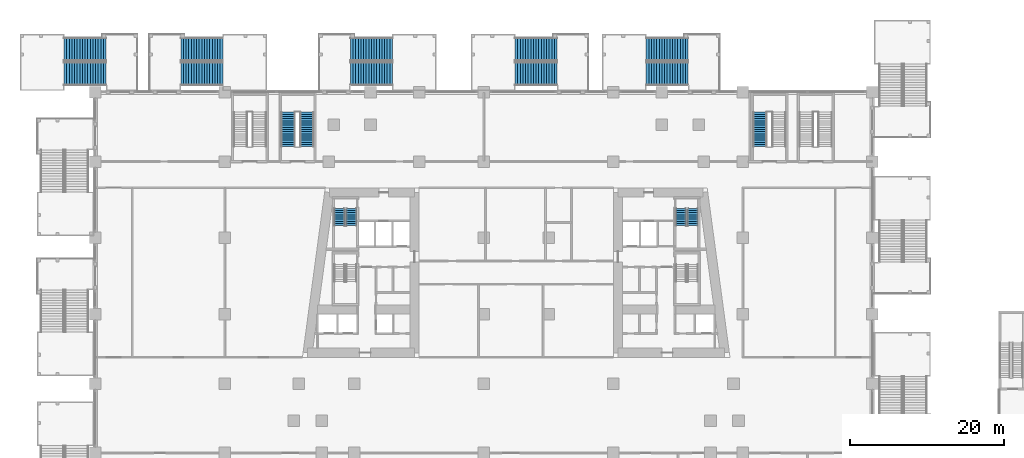
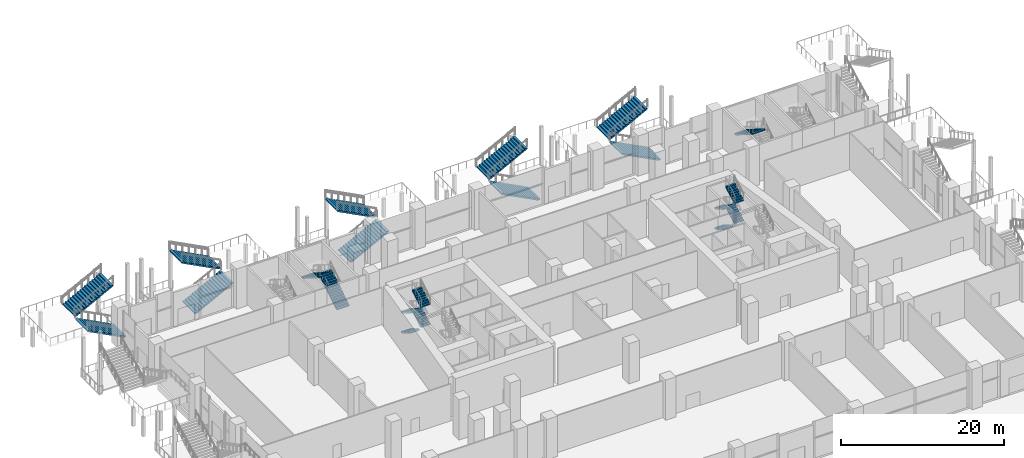
# One storey, part 30 of 47: 21 stair flights, 9 elements without a shape of their own.
"""IFC4 building model written with IfcOpenShell, lengths in metres."""

from ifc_helpers import new_model, si_unit, direction, frame, origin, place, context, subcontext, project, spatial, polyline, outline, extrude, material, type_object, element, aggregate, save


model = new_model("IFC4")

# Units and contexts
model_context = context("Model", 3, precision=1e-05, world=origin(), true_north=direction((0.0, 1.0)))
body_context = subcontext(model_context, "Body", "Model", "MODEL_VIEW")
ifc_project = project(units=[si_unit("LENGTHUNIT", "METRE"), si_unit("AREAUNIT", "SQUARE_METRE"), si_unit("VOLUMEUNIT", "CUBIC_METRE"), si_unit("PLANEANGLEUNIT", "RADIAN"), si_unit("MASSUNIT", "GRAM", prefix="KILO")], contexts=[model_context])

# Site, building, storey
site_placement = place(None, origin())
site = spatial("IfcSite", under=ifc_project, at=site_placement, CompositionType="ELEMENT")
building_placement = place(site_placement, origin())
building = spatial("IfcBuilding", under=site, at=building_placement, Name="Candeia Pilgrim Tower and Theatre", CompositionType="ELEMENT")
storey_placement = place(building_placement, frame((0.0, 0.0, 23.0)))
storey = spatial("IfcBuildingStorey", under=building, at=storey_placement, Name="L03", CompositionType="ELEMENT", Elevation=23.0)

# Stair, stair flights
ifc_material = material(Name="Concrete C40/50", Category="concrete")
stair_type_1 = type_object("IfcStairType", Name="ST-EXT external escape stair", PredefinedType="HALF_TURN_STAIR", material=ifc_material)
stair_1_placement = place(storey_placement, origin())
stair_1 = element("IfcStair", 1, at=stair_1_placement, inside=storey, type_object=stair_type_1, Name="L03 External escape stair ES3", PredefinedType="HALF_TURN_STAIR")
stair_flight_type_1 = type_object("IfcStairFlightType", Name="SFL-EXT stair flight", PredefinedType="STRAIGHT", material=ifc_material)
stair_flight_1_placement = place(storey_placement, frame((60.199951171875, 147.199951171875, 0.0), z_axis=(0.0, 0.0, 1.0), x_axis=(-1.0, 0.0, 0.0)))
stair_flight_1 = element("IfcStairFlight", 2, at=stair_flight_1_placement, type_object=stair_flight_type_1, Name="ES3 flight 1", NumberOfRisers=17, NumberOfTreads=16, PredefinedType="STRAIGHT", RiserHeight=0.176470588, TreadLength=0.34, context=body_context, shape_type="SweptSolid", body=[
    extrude(outline(polyline([(0.0, 0.0), (0.0, 0.176513671875), (0.340087890625, 0.176513671875), (0.340087890625, 0.35302734375), (0.679931640625, 0.35302734375), (0.679931640625, 0.529296875), (1.02001953125, 0.529296875), (1.02001953125, 0.705810546875), (1.360107421875, 0.705810546875), (1.360107421875, 0.88232421875), (1.699951171875, 0.88232421875), (1.699951171875, 1.058837890625), (2.0400390625, 1.058837890625), (2.0400390625, 1.2353515625), (2.3798828125, 1.2353515625), (2.3798828125, 1.411865234375), (2.719970703125, 1.411865234375), (2.719970703125, 1.588134765625), (3.06005859375, 1.588134765625), (3.06005859375, 1.7646484375), (3.39990234375, 1.7646484375), (3.39990234375, 1.941162109375), (3.739990234375, 1.941162109375), (3.739990234375, 2.11767578125), (4.080078125, 2.11767578125), (4.080078125, 2.294189453125), (4.419921875, 2.294189453125), (4.419921875, 2.470703125), (4.760009765625, 2.470703125), (4.760009765625, 2.64697265625), (5.10009765625, 2.64697265625), (5.10009765625, 2.823486328125), (5.43994140625, 2.823486328125), (5.43994140625, 3.0), (5.43994140625, 2.654541015625), (0.325439453125, 0.0), (0.0, 0.0)])), frame((0.0, 1.5, 0.0), z_axis=(0.0, -1.0, 0.0), x_axis=(1.0, 0.0, 0.0)), (0.0, 0.0, 1.0), 3.0),
])
stair_flight_2_placement = place(storey_placement, frame((54.760009765625, 150.35009765625, 3.0), z_axis=(0.0, 0.0, 1.0), x_axis=(1.0, 0.0, 0.0)))
stair_flight_2 = element("IfcStairFlight", 3, at=stair_flight_2_placement, type_object=stair_flight_type_1, Name="ES3 flight 2", NumberOfRisers=17, NumberOfTreads=16, PredefinedType="STRAIGHT", RiserHeight=0.176470588, TreadLength=0.34, context=body_context, shape_type="SweptSolid", body=[
    extrude(outline(polyline([(0.0, 0.0), (0.0, 0.176513671875), (0.340087890625, 0.176513671875), (0.340087890625, 0.35302734375), (0.679931640625, 0.35302734375), (0.679931640625, 0.529296875), (1.02001953125, 0.529296875), (1.02001953125, 0.705810546875), (1.360107421875, 0.705810546875), (1.360107421875, 0.88232421875), (1.699951171875, 0.88232421875), (1.699951171875, 1.058837890625), (2.0400390625, 1.058837890625), (2.0400390625, 1.2353515625), (2.3798828125, 1.2353515625), (2.3798828125, 1.411865234375), (2.719970703125, 1.411865234375), (2.719970703125, 1.588134765625), (3.06005859375, 1.588134765625), (3.06005859375, 1.7646484375), (3.39990234375, 1.7646484375), (3.39990234375, 1.941162109375), (3.739990234375, 1.941162109375), (3.739990234375, 2.11767578125), (4.080078125, 2.11767578125), (4.080078125, 2.294189453125), (4.419921875, 2.294189453125), (4.419921875, 2.470703125), (4.760009765625, 2.470703125), (4.760009765625, 2.64697265625), (5.10009765625, 2.64697265625), (5.10009765625, 2.823486328125), (5.43994140625, 2.823486328125), (5.43994140625, 3.0), (5.43994140625, 2.654541015625), (0.325439453125, 0.0), (0.0, 0.0)])), frame((0.0, 1.5, 0.0), z_axis=(0.0, -1.0, 0.0), x_axis=(1.0, 0.0, 0.0)), (0.0, 0.0, 1.0), 3.0),
])
aggregate(stair_1, [stair_flight_1, stair_flight_2])

stair_2_placement = place(storey_placement, origin())
stair_2 = element("IfcStair", 4, at=stair_2_placement, inside=storey, type_object=stair_type_1, Name="L03 External escape stair ES4", PredefinedType="HALF_TURN_STAIR")
stair_flight_3_placement = place(storey_placement, frame((69.89990234375, 147.199951171875, 0.0), z_axis=(0.0, 0.0, 1.0), x_axis=(1.0, 0.0, 0.0)))
stair_flight_3 = element("IfcStairFlight", 5, at=stair_flight_3_placement, type_object=stair_flight_type_1, Name="ES4 flight 1", NumberOfRisers=17, NumberOfTreads=16, PredefinedType="STRAIGHT", RiserHeight=0.176470588, TreadLength=0.34, context=body_context, shape_type="SweptSolid", body=[
    extrude(outline(polyline([(0.0, 0.0), (0.0, 0.176513671875), (0.340087890625, 0.176513671875), (0.340087890625, 0.35302734375), (0.679931640625, 0.35302734375), (0.679931640625, 0.529296875), (1.02001953125, 0.529296875), (1.02001953125, 0.705810546875), (1.360107421875, 0.705810546875), (1.360107421875, 0.88232421875), (1.699951171875, 0.88232421875), (1.699951171875, 1.058837890625), (2.0400390625, 1.058837890625), (2.0400390625, 1.2353515625), (2.3798828125, 1.2353515625), (2.3798828125, 1.411865234375), (2.719970703125, 1.411865234375), (2.719970703125, 1.588134765625), (3.06005859375, 1.588134765625), (3.06005859375, 1.7646484375), (3.39990234375, 1.7646484375), (3.39990234375, 1.941162109375), (3.739990234375, 1.941162109375), (3.739990234375, 2.11767578125), (4.080078125, 2.11767578125), (4.080078125, 2.294189453125), (4.419921875, 2.294189453125), (4.419921875, 2.470703125), (4.760009765625, 2.470703125), (4.760009765625, 2.64697265625), (5.10009765625, 2.64697265625), (5.10009765625, 2.823486328125), (5.43994140625, 2.823486328125), (5.43994140625, 3.0), (5.43994140625, 2.654541015625), (0.325439453125, 0.0), (0.0, 0.0)])), frame((0.0, 1.5, 0.0), z_axis=(0.0, -1.0, 0.0), x_axis=(1.0, 0.0, 0.0)), (0.0, 0.0, 1.0), 3.0),
])
stair_flight_4_placement = place(storey_placement, frame((75.340087890625, 150.35009765625, 3.0), z_axis=(0.0, 0.0, 1.0), x_axis=(-1.0, 0.0, 0.0)))
stair_flight_4 = element("IfcStairFlight", 6, at=stair_flight_4_placement, type_object=stair_flight_type_1, Name="ES4 flight 2", NumberOfRisers=17, NumberOfTreads=16, PredefinedType="STRAIGHT", RiserHeight=0.176470588, TreadLength=0.34, context=body_context, shape_type="SweptSolid", body=[
    extrude(outline(polyline([(0.0, 0.0), (0.0, 0.176513671875), (0.340087890625, 0.176513671875), (0.340087890625, 0.35302734375), (0.679931640625, 0.35302734375), (0.679931640625, 0.529296875), (1.02001953125, 0.529296875), (1.02001953125, 0.705810546875), (1.360107421875, 0.705810546875), (1.360107421875, 0.88232421875), (1.699951171875, 0.88232421875), (1.699951171875, 1.058837890625), (2.0400390625, 1.058837890625), (2.0400390625, 1.2353515625), (2.3798828125, 1.2353515625), (2.3798828125, 1.411865234375), (2.719970703125, 1.411865234375), (2.719970703125, 1.588134765625), (3.06005859375, 1.588134765625), (3.06005859375, 1.7646484375), (3.39990234375, 1.7646484375), (3.39990234375, 1.941162109375), (3.739990234375, 1.941162109375), (3.739990234375, 2.11767578125), (4.080078125, 2.11767578125), (4.080078125, 2.294189453125), (4.419921875, 2.294189453125), (4.419921875, 2.470703125), (4.760009765625, 2.470703125), (4.760009765625, 2.64697265625), (5.10009765625, 2.64697265625), (5.10009765625, 2.823486328125), (5.43994140625, 2.823486328125), (5.43994140625, 3.0), (5.43994140625, 2.654541015625), (0.325439453125, 0.0), (0.0, 0.0)])), frame((0.0, 1.5, 0.0), z_axis=(0.0, -1.0, 0.0), x_axis=(1.0, 0.0, 0.0)), (0.0, 0.0, 1.0), 3.0),
])
aggregate(stair_2, [stair_flight_3, stair_flight_4])

stair_3_placement = place(storey_placement, origin())
stair_3 = element("IfcStair", 7, at=stair_3_placement, inside=storey, type_object=stair_type_1, Name="L03 External escape stair ES5", PredefinedType="HALF_TURN_STAIR")
stair_flight_5_placement = place(storey_placement, frame((91.89990234375, 147.199951171875, 0.0), z_axis=(0.0, 0.0, 1.0), x_axis=(1.0, 0.0, 0.0)))
stair_flight_5 = element("IfcStairFlight", 8, at=stair_flight_5_placement, type_object=stair_flight_type_1, Name="ES5 flight 1", NumberOfRisers=17, NumberOfTreads=16, PredefinedType="STRAIGHT", RiserHeight=0.176470588, TreadLength=0.34, context=body_context, shape_type="SweptSolid", body=[
    extrude(outline(polyline([(0.0, 0.0), (0.0, 0.176513671875), (0.340087890625, 0.176513671875), (0.340087890625, 0.35302734375), (0.679931640625, 0.35302734375), (0.679931640625, 0.529296875), (1.02001953125, 0.529296875), (1.02001953125, 0.705810546875), (1.360107421875, 0.705810546875), (1.360107421875, 0.88232421875), (1.699951171875, 0.88232421875), (1.699951171875, 1.058837890625), (2.0400390625, 1.058837890625), (2.0400390625, 1.2353515625), (2.3798828125, 1.2353515625), (2.3798828125, 1.411865234375), (2.719970703125, 1.411865234375), (2.719970703125, 1.588134765625), (3.06005859375, 1.588134765625), (3.06005859375, 1.7646484375), (3.39990234375, 1.7646484375), (3.39990234375, 1.941162109375), (3.739990234375, 1.941162109375), (3.739990234375, 2.11767578125), (4.080078125, 2.11767578125), (4.080078125, 2.294189453125), (4.419921875, 2.294189453125), (4.419921875, 2.470703125), (4.760009765625, 2.470703125), (4.760009765625, 2.64697265625), (5.10009765625, 2.64697265625), (5.10009765625, 2.823486328125), (5.43994140625, 2.823486328125), (5.43994140625, 3.0), (5.43994140625, 2.654541015625), (0.325439453125, 0.0), (0.0, 0.0)])), frame((0.0, 1.5, 0.0), z_axis=(0.0, -1.0, 0.0), x_axis=(1.0, 0.0, 0.0)), (0.0, 0.0, 1.0), 3.0),
])
stair_flight_6_placement = place(storey_placement, frame((97.340087890625, 150.35009765625, 3.0), z_axis=(0.0, 0.0, 1.0), x_axis=(-1.0, 0.0, 0.0)))
stair_flight_6 = element("IfcStairFlight", 9, at=stair_flight_6_placement, type_object=stair_flight_type_1, Name="ES5 flight 2", NumberOfRisers=17, NumberOfTreads=16, PredefinedType="STRAIGHT", RiserHeight=0.176470588, TreadLength=0.34, context=body_context, shape_type="SweptSolid", body=[
    extrude(outline(polyline([(0.0, 0.0), (0.0, 0.176513671875), (0.340087890625, 0.176513671875), (0.340087890625, 0.35302734375), (0.679931640625, 0.35302734375), (0.679931640625, 0.529296875), (1.02001953125, 0.529296875), (1.02001953125, 0.705810546875), (1.360107421875, 0.705810546875), (1.360107421875, 0.88232421875), (1.699951171875, 0.88232421875), (1.699951171875, 1.058837890625), (2.0400390625, 1.058837890625), (2.0400390625, 1.2353515625), (2.3798828125, 1.2353515625), (2.3798828125, 1.411865234375), (2.719970703125, 1.411865234375), (2.719970703125, 1.588134765625), (3.06005859375, 1.588134765625), (3.06005859375, 1.7646484375), (3.39990234375, 1.7646484375), (3.39990234375, 1.941162109375), (3.739990234375, 1.941162109375), (3.739990234375, 2.11767578125), (4.080078125, 2.11767578125), (4.080078125, 2.294189453125), (4.419921875, 2.294189453125), (4.419921875, 2.470703125), (4.760009765625, 2.470703125), (4.760009765625, 2.64697265625), (5.10009765625, 2.64697265625), (5.10009765625, 2.823486328125), (5.43994140625, 2.823486328125), (5.43994140625, 3.0), (5.43994140625, 2.654541015625), (0.325439453125, 0.0), (0.0, 0.0)])), frame((0.0, 1.5, 0.0), z_axis=(0.0, -1.0, 0.0), x_axis=(1.0, 0.0, 0.0)), (0.0, 0.0, 1.0), 3.0),
])
aggregate(stair_3, [stair_flight_5, stair_flight_6])

stair_4_placement = place(storey_placement, origin())
stair_4 = element("IfcStair", 10, at=stair_4_placement, inside=storey, type_object=stair_type_1, Name="L03 External escape stair ES6", PredefinedType="HALF_TURN_STAIR")
stair_flight_7_placement = place(storey_placement, frame((118.699951171875, 147.199951171875, 0.0), z_axis=(0.0, 0.0, 1.0), x_axis=(-1.0, 0.0, 0.0)))
stair_flight_7 = element("IfcStairFlight", 11, at=stair_flight_7_placement, type_object=stair_flight_type_1, Name="ES6 flight 1", NumberOfRisers=17, NumberOfTreads=16, PredefinedType="STRAIGHT", RiserHeight=0.176470588, TreadLength=0.34, context=body_context, shape_type="SweptSolid", body=[
    extrude(outline(polyline([(0.0, 0.0), (0.0, 0.176513671875), (0.340087890625, 0.176513671875), (0.340087890625, 0.35302734375), (0.679931640625, 0.35302734375), (0.679931640625, 0.529296875), (1.02001953125, 0.529296875), (1.02001953125, 0.705810546875), (1.360107421875, 0.705810546875), (1.360107421875, 0.88232421875), (1.699951171875, 0.88232421875), (1.699951171875, 1.058837890625), (2.0400390625, 1.058837890625), (2.0400390625, 1.2353515625), (2.3798828125, 1.2353515625), (2.3798828125, 1.411865234375), (2.719970703125, 1.411865234375), (2.719970703125, 1.588134765625), (3.06005859375, 1.588134765625), (3.06005859375, 1.7646484375), (3.39990234375, 1.7646484375), (3.39990234375, 1.941162109375), (3.739990234375, 1.941162109375), (3.739990234375, 2.11767578125), (4.080078125, 2.11767578125), (4.080078125, 2.294189453125), (4.419921875, 2.294189453125), (4.419921875, 2.470703125), (4.760009765625, 2.470703125), (4.760009765625, 2.64697265625), (5.10009765625, 2.64697265625), (5.10009765625, 2.823486328125), (5.43994140625, 2.823486328125), (5.43994140625, 3.0), (5.43994140625, 2.654541015625), (0.325439453125, 0.0), (0.0, 0.0)])), frame((0.0, 1.5, 0.0), z_axis=(0.0, -1.0, 0.0), x_axis=(1.0, 0.0, 0.0)), (0.0, 0.0, 1.0), 3.0),
])
stair_flight_8_placement = place(storey_placement, frame((113.260009765625, 150.35009765625, 3.0), z_axis=(0.0, 0.0, 1.0), x_axis=(1.0, 0.0, 0.0)))
stair_flight_8 = element("IfcStairFlight", 12, at=stair_flight_8_placement, type_object=stair_flight_type_1, Name="ES6 flight 2", NumberOfRisers=17, NumberOfTreads=16, PredefinedType="STRAIGHT", RiserHeight=0.176470588, TreadLength=0.34, context=body_context, shape_type="SweptSolid", body=[
    extrude(outline(polyline([(0.0, 0.0), (0.0, 0.176513671875), (0.340087890625, 0.176513671875), (0.340087890625, 0.35302734375), (0.679931640625, 0.35302734375), (0.679931640625, 0.529296875), (1.02001953125, 0.529296875), (1.02001953125, 0.705810546875), (1.360107421875, 0.705810546875), (1.360107421875, 0.88232421875), (1.699951171875, 0.88232421875), (1.699951171875, 1.058837890625), (2.0400390625, 1.058837890625), (2.0400390625, 1.2353515625), (2.3798828125, 1.2353515625), (2.3798828125, 1.411865234375), (2.719970703125, 1.411865234375), (2.719970703125, 1.588134765625), (3.06005859375, 1.588134765625), (3.06005859375, 1.7646484375), (3.39990234375, 1.7646484375), (3.39990234375, 1.941162109375), (3.739990234375, 1.941162109375), (3.739990234375, 2.11767578125), (4.080078125, 2.11767578125), (4.080078125, 2.294189453125), (4.419921875, 2.294189453125), (4.419921875, 2.470703125), (4.760009765625, 2.470703125), (4.760009765625, 2.64697265625), (5.10009765625, 2.64697265625), (5.10009765625, 2.823486328125), (5.43994140625, 2.823486328125), (5.43994140625, 3.0), (5.43994140625, 2.654541015625), (0.325439453125, 0.0), (0.0, 0.0)])), frame((0.0, 1.5, 0.0), z_axis=(0.0, -1.0, 0.0), x_axis=(1.0, 0.0, 0.0)), (0.0, 0.0, 1.0), 3.0),
])
aggregate(stair_4, [stair_flight_7, stair_flight_8])

stair_5_placement = place(storey_placement, origin())
stair_5 = element("IfcStair", 13, at=stair_5_placement, inside=storey, type_object=stair_type_1, Name="L03 External escape stair ES7", PredefinedType="HALF_TURN_STAIR")
stair_flight_9_placement = place(storey_placement, frame((135.699951171875, 147.199951171875, 0.0), z_axis=(0.0, 0.0, 1.0), x_axis=(-1.0, 0.0, 0.0)))
stair_flight_9 = element("IfcStairFlight", 14, at=stair_flight_9_placement, type_object=stair_flight_type_1, Name="ES7 flight 1", NumberOfRisers=17, NumberOfTreads=16, PredefinedType="STRAIGHT", RiserHeight=0.176470588, TreadLength=0.34, context=body_context, shape_type="SweptSolid", body=[
    extrude(outline(polyline([(0.0, 0.0), (0.0, 0.176513671875), (0.340087890625, 0.176513671875), (0.340087890625, 0.35302734375), (0.679931640625, 0.35302734375), (0.679931640625, 0.529296875), (1.02001953125, 0.529296875), (1.02001953125, 0.705810546875), (1.360107421875, 0.705810546875), (1.360107421875, 0.88232421875), (1.699951171875, 0.88232421875), (1.699951171875, 1.058837890625), (2.0400390625, 1.058837890625), (2.0400390625, 1.2353515625), (2.3798828125, 1.2353515625), (2.3798828125, 1.411865234375), (2.719970703125, 1.411865234375), (2.719970703125, 1.588134765625), (3.06005859375, 1.588134765625), (3.06005859375, 1.7646484375), (3.39990234375, 1.7646484375), (3.39990234375, 1.941162109375), (3.739990234375, 1.941162109375), (3.739990234375, 2.11767578125), (4.080078125, 2.11767578125), (4.080078125, 2.294189453125), (4.419921875, 2.294189453125), (4.419921875, 2.470703125), (4.760009765625, 2.470703125), (4.760009765625, 2.64697265625), (5.10009765625, 2.64697265625), (5.10009765625, 2.823486328125), (5.43994140625, 2.823486328125), (5.43994140625, 3.0), (5.43994140625, 2.654541015625), (0.325439453125, 0.0), (0.0, 0.0)])), frame((0.0, 1.5, 0.0), z_axis=(0.0, -1.0, 0.0), x_axis=(1.0, 0.0, 0.0)), (0.0, 0.0, 1.0), 3.0),
])
stair_flight_10_placement = place(storey_placement, frame((130.260009765625, 150.35009765625, 3.0), z_axis=(0.0, 0.0, 1.0), x_axis=(1.0, 0.0, 0.0)))
stair_flight_10 = element("IfcStairFlight", 15, at=stair_flight_10_placement, type_object=stair_flight_type_1, Name="ES7 flight 2", NumberOfRisers=17, NumberOfTreads=16, PredefinedType="STRAIGHT", RiserHeight=0.176470588, TreadLength=0.34, context=body_context, shape_type="SweptSolid", body=[
    extrude(outline(polyline([(0.0, 0.0), (0.0, 0.176513671875), (0.340087890625, 0.176513671875), (0.340087890625, 0.35302734375), (0.679931640625, 0.35302734375), (0.679931640625, 0.529296875), (1.02001953125, 0.529296875), (1.02001953125, 0.705810546875), (1.360107421875, 0.705810546875), (1.360107421875, 0.88232421875), (1.699951171875, 0.88232421875), (1.699951171875, 1.058837890625), (2.0400390625, 1.058837890625), (2.0400390625, 1.2353515625), (2.3798828125, 1.2353515625), (2.3798828125, 1.411865234375), (2.719970703125, 1.411865234375), (2.719970703125, 1.588134765625), (3.06005859375, 1.588134765625), (3.06005859375, 1.7646484375), (3.39990234375, 1.7646484375), (3.39990234375, 1.941162109375), (3.739990234375, 1.941162109375), (3.739990234375, 2.11767578125), (4.080078125, 2.11767578125), (4.080078125, 2.294189453125), (4.419921875, 2.294189453125), (4.419921875, 2.470703125), (4.760009765625, 2.470703125), (4.760009765625, 2.64697265625), (5.10009765625, 2.64697265625), (5.10009765625, 2.823486328125), (5.43994140625, 2.823486328125), (5.43994140625, 3.0), (5.43994140625, 2.654541015625), (0.325439453125, 0.0), (0.0, 0.0)])), frame((0.0, 1.5, 0.0), z_axis=(0.0, -1.0, 0.0), x_axis=(1.0, 0.0, 0.0)), (0.0, 0.0, 1.0), 3.0),
])
aggregate(stair_5, [stair_flight_9, stair_flight_10])

stair_type_2 = type_object("IfcStairType", Name="ST-POD dog-leg escape stair", PredefinedType="HALF_TURN_STAIR", material=ifc_material)
stair_6_placement = place(storey_placement, origin())
stair_6 = element("IfcStair", 16, at=stair_6_placement, inside=storey, type_object=stair_type_2, Name="L03 Escape stair PS2", PredefinedType="HALF_TURN_STAIR")
stair_flight_type_2 = type_object("IfcStairFlightType", Name="SFL-POD stair flight", PredefinedType="STRAIGHT", material=ifc_material)
stair_flight_11_placement = place(storey_placement, frame((86.27490234375, 137.72509765625, 0.0), z_axis=(0.0, 0.0, 1.0), x_axis=(0.0, 1.0, 0.0)))
stair_flight_11 = element("IfcStairFlight", 17, at=stair_flight_11_placement, type_object=stair_flight_type_2, Name="PS2 flight 1", NumberOfRisers=17, NumberOfTreads=16, PredefinedType="STRAIGHT", RiserHeight=0.176470588, TreadLength=0.28, context=body_context, shape_type="SweptSolid", body=[
    extrude(outline(polyline([(0.0, 0.0), (0.0, 0.176513671875), (0.280029296875, 0.176513671875), (0.280029296875, 0.35302734375), (0.56005859375, 0.35302734375), (0.56005859375, 0.529296875), (0.840087890625, 0.529296875), (0.840087890625, 0.705810546875), (1.1201171875, 0.705810546875), (1.1201171875, 0.88232421875), (1.39990234375, 0.88232421875), (1.39990234375, 1.058837890625), (1.679931640625, 1.058837890625), (1.679931640625, 1.2353515625), (1.9599609375, 1.2353515625), (1.9599609375, 1.411865234375), (2.239990234375, 1.411865234375), (2.239990234375, 1.588134765625), (2.52001953125, 1.588134765625), (2.52001953125, 1.7646484375), (2.800048828125, 1.7646484375), (2.800048828125, 1.941162109375), (3.080078125, 1.941162109375), (3.080078125, 2.11767578125), (3.360107421875, 2.11767578125), (3.360107421875, 2.294189453125), (3.639892578125, 2.294189453125), (3.639892578125, 2.470703125), (3.919921875, 2.470703125), (3.919921875, 2.64697265625), (4.199951171875, 2.64697265625), (4.199951171875, 2.823486328125), (4.47998046875, 2.823486328125), (4.47998046875, 3.0), (4.47998046875, 2.646240234375), (0.28125, 0.0), (0.0, 0.0)])), frame((0.0, 0.89990234375, 0.0), z_axis=(0.0, -1.0, 0.0), x_axis=(1.0, 0.0, 0.0)), (0.0, 0.0, 1.0), 1.800048828125),
])
stair_flight_12_placement = place(storey_placement, frame((83.824951171875, 142.205078125, 3.0), z_axis=(0.0, 0.0, 1.0), x_axis=(0.0, -1.0, 0.0)))
stair_flight_12 = element("IfcStairFlight", 18, at=stair_flight_12_placement, type_object=stair_flight_type_2, Name="PS2 flight 2", NumberOfRisers=17, NumberOfTreads=16, PredefinedType="STRAIGHT", RiserHeight=0.176470588, TreadLength=0.28, context=body_context, shape_type="SweptSolid", body=[
    extrude(outline(polyline([(0.0, 0.0), (0.0, 0.176513671875), (0.280029296875, 0.176513671875), (0.280029296875, 0.35302734375), (0.56005859375, 0.35302734375), (0.56005859375, 0.529296875), (0.840087890625, 0.529296875), (0.840087890625, 0.705810546875), (1.1201171875, 0.705810546875), (1.1201171875, 0.88232421875), (1.39990234375, 0.88232421875), (1.39990234375, 1.058837890625), (1.679931640625, 1.058837890625), (1.679931640625, 1.2353515625), (1.9599609375, 1.2353515625), (1.9599609375, 1.411865234375), (2.239990234375, 1.411865234375), (2.239990234375, 1.588134765625), (2.52001953125, 1.588134765625), (2.52001953125, 1.7646484375), (2.800048828125, 1.7646484375), (2.800048828125, 1.941162109375), (3.080078125, 1.941162109375), (3.080078125, 2.11767578125), (3.360107421875, 2.11767578125), (3.360107421875, 2.294189453125), (3.639892578125, 2.294189453125), (3.639892578125, 2.470703125), (3.919921875, 2.470703125), (3.919921875, 2.64697265625), (4.199951171875, 2.64697265625), (4.199951171875, 2.823486328125), (4.47998046875, 2.823486328125), (4.47998046875, 3.0), (4.47998046875, 2.646240234375), (0.28125, 0.0), (0.0, 0.0)])), frame((0.0, 0.89990234375, 0.0), z_axis=(0.0, -1.0, 0.0), x_axis=(1.0, 0.0, 0.0)), (0.0, 0.0, 1.0), 1.800048828125),
])
aggregate(stair_6, [stair_flight_11, stair_flight_12])

# Stair, stair flight
stair_7_placement = place(storey_placement, origin())
stair_7 = element("IfcStair", 19, at=stair_7_placement, inside=storey, type_object=stair_type_2, Name="L03 Escape stair PS3", PredefinedType="HALF_TURN_STAIR")
stair_flight_13_placement = place(storey_placement, frame((145.02490234375, 142.205078125, 3.0), z_axis=(0.0, 0.0, 1.0), x_axis=(0.0, -1.0, 0.0)))
stair_flight_13 = element("IfcStairFlight", 20, at=stair_flight_13_placement, type_object=stair_flight_type_2, Name="PS3 flight 2", NumberOfRisers=17, NumberOfTreads=16, PredefinedType="STRAIGHT", RiserHeight=0.176470588, TreadLength=0.28, context=body_context, shape_type="SweptSolid", body=[
    extrude(outline(polyline([(0.0, 0.0), (0.0, 0.176513671875), (0.280029296875, 0.176513671875), (0.280029296875, 0.35302734375), (0.56005859375, 0.35302734375), (0.56005859375, 0.529296875), (0.840087890625, 0.529296875), (0.840087890625, 0.705810546875), (1.1201171875, 0.705810546875), (1.1201171875, 0.88232421875), (1.39990234375, 0.88232421875), (1.39990234375, 1.058837890625), (1.679931640625, 1.058837890625), (1.679931640625, 1.2353515625), (1.9599609375, 1.2353515625), (1.9599609375, 1.411865234375), (2.239990234375, 1.411865234375), (2.239990234375, 1.588134765625), (2.52001953125, 1.588134765625), (2.52001953125, 1.7646484375), (2.800048828125, 1.7646484375), (2.800048828125, 1.941162109375), (3.080078125, 1.941162109375), (3.080078125, 2.11767578125), (3.360107421875, 2.11767578125), (3.360107421875, 2.294189453125), (3.639892578125, 2.294189453125), (3.639892578125, 2.470703125), (3.919921875, 2.470703125), (3.919921875, 2.64697265625), (4.199951171875, 2.64697265625), (4.199951171875, 2.823486328125), (4.47998046875, 2.823486328125), (4.47998046875, 3.0), (4.47998046875, 2.646240234375), (0.28125, 0.0), (0.0, 0.0)])), frame((0.0, 0.89990234375, 0.0), z_axis=(0.0, -1.0, 0.0), x_axis=(1.0, 0.0, 0.0)), (0.0, 0.0, 1.0), 1.800048828125),
])
aggregate(stair_7, [stair_flight_13])

# Stair, stair flights
stair_type_3 = type_object("IfcStairType", Name="ST-TWR dog-leg escape stair", PredefinedType="HALF_TURN_STAIR", material=ifc_material)
stair_8_placement = place(storey_placement, origin())
stair_8 = element("IfcStair", 21, at=stair_8_placement, inside=storey, type_object=stair_type_3, Name="L03 Escape stair ST2", PredefinedType="HALF_TURN_STAIR")
stair_flight_type_3 = type_object("IfcStairFlightType", Name="SFL-RC stair flight", PredefinedType="STRAIGHT", material=ifc_material)
stair_flight_14_placement = place(storey_placement, frame((90.47705078125, 129.72509765625, 0.0), z_axis=(0.0, 0.0, 1.0), x_axis=(0.0, -1.0, 0.0)))
stair_flight_14 = element("IfcStairFlight", 22, at=stair_flight_14_placement, type_object=stair_flight_type_3, Name="ST2 flight 1", NumberOfRisers=9, NumberOfTreads=8, PredefinedType="STRAIGHT", RiserHeight=0.166666667, TreadLength=0.28, context=body_context, shape_type="SweptSolid", body=[
    extrude(outline(polyline([(0.0, 0.0), (0.0, 0.166748046875), (0.280029296875, 0.166748046875), (0.280029296875, 0.333251953125), (0.56005859375, 0.333251953125), (0.56005859375, 0.5), (0.840087890625, 0.5), (0.840087890625, 0.666748046875), (1.1201171875, 0.666748046875), (1.1201171875, 0.833251953125), (1.39990234375, 0.833251953125), (1.39990234375, 1.0), (1.679931640625, 1.0), (1.679931640625, 1.166748046875), (1.9599609375, 1.166748046875), (1.9599609375, 1.333251953125), (2.239990234375, 1.333251953125), (2.239990234375, 1.5), (2.239990234375, 1.158935546875), (0.29296875, 0.0), (0.0, 0.0)])), frame((0.0, 0.675048828125, 0.0), z_axis=(0.0, -1.0, 0.0), x_axis=(1.0, 0.0, 0.0)), (0.0, 0.0, 1.0), 1.35009765625),
])
stair_flight_15_placement = place(storey_placement, frame((92.027099609375, 127.485107421875, 1.5), z_axis=(0.0, 0.0, 1.0), x_axis=(0.0, 1.0, 0.0)))
stair_flight_15 = element("IfcStairFlight", 23, at=stair_flight_15_placement, type_object=stair_flight_type_3, Name="ST2 flight 2", NumberOfRisers=9, NumberOfTreads=8, PredefinedType="STRAIGHT", RiserHeight=0.166666667, TreadLength=0.28, context=body_context, shape_type="SweptSolid", body=[
    extrude(outline(polyline([(0.0, 0.0), (0.0, 0.166748046875), (0.280029296875, 0.166748046875), (0.280029296875, 0.333251953125), (0.56005859375, 0.333251953125), (0.56005859375, 0.5), (0.840087890625, 0.5), (0.840087890625, 0.666748046875), (1.1201171875, 0.666748046875), (1.1201171875, 0.833251953125), (1.39990234375, 0.833251953125), (1.39990234375, 1.0), (1.679931640625, 1.0), (1.679931640625, 1.166748046875), (1.9599609375, 1.166748046875), (1.9599609375, 1.333251953125), (2.239990234375, 1.333251953125), (2.239990234375, 1.5), (2.239990234375, 1.158935546875), (0.29296875, 0.0), (0.0, 0.0)])), frame((0.0, 0.675048828125, 0.0), z_axis=(0.0, -1.0, 0.0), x_axis=(1.0, 0.0, 0.0)), (0.0, 0.0, 1.0), 1.35009765625),
])
stair_flight_16_placement = place(storey_placement, frame((90.47705078125, 129.72509765625, 3.0), z_axis=(0.0, 0.0, 1.0), x_axis=(0.0, -1.0, 0.0)))
stair_flight_16 = element("IfcStairFlight", 24, at=stair_flight_16_placement, type_object=stair_flight_type_3, Name="ST2 flight 3", NumberOfRisers=9, NumberOfTreads=8, PredefinedType="STRAIGHT", RiserHeight=0.166666667, TreadLength=0.28, context=body_context, shape_type="SweptSolid", body=[
    extrude(outline(polyline([(0.0, 0.0), (0.0, 0.166748046875), (0.280029296875, 0.166748046875), (0.280029296875, 0.333251953125), (0.56005859375, 0.333251953125), (0.56005859375, 0.5), (0.840087890625, 0.5), (0.840087890625, 0.666748046875), (1.1201171875, 0.666748046875), (1.1201171875, 0.833251953125), (1.39990234375, 0.833251953125), (1.39990234375, 1.0), (1.679931640625, 1.0), (1.679931640625, 1.166748046875), (1.9599609375, 1.166748046875), (1.9599609375, 1.333251953125), (2.239990234375, 1.333251953125), (2.239990234375, 1.5), (2.239990234375, 1.158935546875), (0.29296875, 0.0), (0.0, 0.0)])), frame((0.0, 0.675048828125, 0.0), z_axis=(0.0, -1.0, 0.0), x_axis=(1.0, 0.0, 0.0)), (0.0, 0.0, 1.0), 1.35009765625),
])
stair_flight_17_placement = place(storey_placement, frame((92.027099609375, 127.485107421875, 4.5), z_axis=(0.0, 0.0, 1.0), x_axis=(0.0, 1.0, 0.0)))
stair_flight_17 = element("IfcStairFlight", 25, at=stair_flight_17_placement, type_object=stair_flight_type_3, Name="ST2 flight 4", NumberOfRisers=9, NumberOfTreads=8, PredefinedType="STRAIGHT", RiserHeight=0.166666667, TreadLength=0.28, context=body_context, shape_type="SweptSolid", body=[
    extrude(outline(polyline([(0.0, 0.0), (0.0, 0.166748046875), (0.280029296875, 0.166748046875), (0.280029296875, 0.333251953125), (0.56005859375, 0.333251953125), (0.56005859375, 0.5), (0.840087890625, 0.5), (0.840087890625, 0.666748046875), (1.1201171875, 0.666748046875), (1.1201171875, 0.833251953125), (1.39990234375, 0.833251953125), (1.39990234375, 1.0), (1.679931640625, 1.0), (1.679931640625, 1.166748046875), (1.9599609375, 1.166748046875), (1.9599609375, 1.333251953125), (2.239990234375, 1.333251953125), (2.239990234375, 1.5), (2.239990234375, 1.158935546875), (0.29296875, 0.0), (0.0, 0.0)])), frame((0.0, 0.675048828125, 0.0), z_axis=(0.0, -1.0, 0.0), x_axis=(1.0, 0.0, 0.0)), (0.0, 0.0, 1.0), 1.35009765625),
])
aggregate(stair_8, [stair_flight_14, stair_flight_15, stair_flight_16, stair_flight_17])

stair_9_placement = place(storey_placement, origin())
stair_9 = element("IfcStair", 26, at=stair_9_placement, inside=storey, type_object=stair_type_3, Name="L03 Escape stair ST4", PredefinedType="HALF_TURN_STAIR")
stair_flight_18_placement = place(storey_placement, frame((134.77294921875, 129.72509765625, 0.0), z_axis=(0.0, 0.0, 1.0), x_axis=(0.0, -1.0, 0.0)))
stair_flight_18 = element("IfcStairFlight", 27, at=stair_flight_18_placement, type_object=stair_flight_type_3, Name="ST4 flight 1", NumberOfRisers=9, NumberOfTreads=8, PredefinedType="STRAIGHT", RiserHeight=0.166666667, TreadLength=0.28, context=body_context, shape_type="SweptSolid", body=[
    extrude(outline(polyline([(0.0, 0.0), (0.0, 0.166748046875), (0.280029296875, 0.166748046875), (0.280029296875, 0.333251953125), (0.56005859375, 0.333251953125), (0.56005859375, 0.5), (0.840087890625, 0.5), (0.840087890625, 0.666748046875), (1.1201171875, 0.666748046875), (1.1201171875, 0.833251953125), (1.39990234375, 0.833251953125), (1.39990234375, 1.0), (1.679931640625, 1.0), (1.679931640625, 1.166748046875), (1.9599609375, 1.166748046875), (1.9599609375, 1.333251953125), (2.239990234375, 1.333251953125), (2.239990234375, 1.5), (2.239990234375, 1.158935546875), (0.29296875, 0.0), (0.0, 0.0)])), frame((0.0, 0.675048828125, 0.0), z_axis=(0.0, -1.0, 0.0), x_axis=(1.0, 0.0, 0.0)), (0.0, 0.0, 1.0), 1.35009765625),
])
stair_flight_19_placement = place(storey_placement, frame((136.322998046875, 127.485107421875, 1.5), z_axis=(0.0, 0.0, 1.0), x_axis=(0.0, 1.0, 0.0)))
stair_flight_19 = element("IfcStairFlight", 28, at=stair_flight_19_placement, type_object=stair_flight_type_3, Name="ST4 flight 2", NumberOfRisers=9, NumberOfTreads=8, PredefinedType="STRAIGHT", RiserHeight=0.166666667, TreadLength=0.28, context=body_context, shape_type="SweptSolid", body=[
    extrude(outline(polyline([(0.0, 0.0), (0.0, 0.166748046875), (0.280029296875, 0.166748046875), (0.280029296875, 0.333251953125), (0.56005859375, 0.333251953125), (0.56005859375, 0.5), (0.840087890625, 0.5), (0.840087890625, 0.666748046875), (1.1201171875, 0.666748046875), (1.1201171875, 0.833251953125), (1.39990234375, 0.833251953125), (1.39990234375, 1.0), (1.679931640625, 1.0), (1.679931640625, 1.166748046875), (1.9599609375, 1.166748046875), (1.9599609375, 1.333251953125), (2.239990234375, 1.333251953125), (2.239990234375, 1.5), (2.239990234375, 1.158935546875), (0.29296875, 0.0), (0.0, 0.0)])), frame((0.0, 0.675048828125, 0.0), z_axis=(0.0, -1.0, 0.0), x_axis=(1.0, 0.0, 0.0)), (0.0, 0.0, 1.0), 1.35009765625),
])
stair_flight_20_placement = place(storey_placement, frame((134.77294921875, 129.72509765625, 3.0), z_axis=(0.0, 0.0, 1.0), x_axis=(0.0, -1.0, 0.0)))
stair_flight_20 = element("IfcStairFlight", 29, at=stair_flight_20_placement, type_object=stair_flight_type_3, Name="ST4 flight 3", NumberOfRisers=9, NumberOfTreads=8, PredefinedType="STRAIGHT", RiserHeight=0.166666667, TreadLength=0.28, context=body_context, shape_type="SweptSolid", body=[
    extrude(outline(polyline([(0.0, 0.0), (0.0, 0.166748046875), (0.280029296875, 0.166748046875), (0.280029296875, 0.333251953125), (0.56005859375, 0.333251953125), (0.56005859375, 0.5), (0.840087890625, 0.5), (0.840087890625, 0.666748046875), (1.1201171875, 0.666748046875), (1.1201171875, 0.833251953125), (1.39990234375, 0.833251953125), (1.39990234375, 1.0), (1.679931640625, 1.0), (1.679931640625, 1.166748046875), (1.9599609375, 1.166748046875), (1.9599609375, 1.333251953125), (2.239990234375, 1.333251953125), (2.239990234375, 1.5), (2.239990234375, 1.158935546875), (0.29296875, 0.0), (0.0, 0.0)])), frame((0.0, 0.675048828125, 0.0), z_axis=(0.0, -1.0, 0.0), x_axis=(1.0, 0.0, 0.0)), (0.0, 0.0, 1.0), 1.35009765625),
])
stair_flight_21_placement = place(storey_placement, frame((136.322998046875, 127.485107421875, 4.5), z_axis=(0.0, 0.0, 1.0), x_axis=(0.0, 1.0, 0.0)))
stair_flight_21 = element("IfcStairFlight", 30, at=stair_flight_21_placement, type_object=stair_flight_type_3, Name="ST4 flight 4", NumberOfRisers=9, NumberOfTreads=8, PredefinedType="STRAIGHT", RiserHeight=0.166666667, TreadLength=0.28, context=body_context, shape_type="SweptSolid", body=[
    extrude(outline(polyline([(0.0, 0.0), (0.0, 0.166748046875), (0.280029296875, 0.166748046875), (0.280029296875, 0.333251953125), (0.56005859375, 0.333251953125), (0.56005859375, 0.5), (0.840087890625, 0.5), (0.840087890625, 0.666748046875), (1.1201171875, 0.666748046875), (1.1201171875, 0.833251953125), (1.39990234375, 0.833251953125), (1.39990234375, 1.0), (1.679931640625, 1.0), (1.679931640625, 1.166748046875), (1.9599609375, 1.166748046875), (1.9599609375, 1.333251953125), (2.239990234375, 1.333251953125), (2.239990234375, 1.5), (2.239990234375, 1.158935546875), (0.29296875, 0.0), (0.0, 0.0)])), frame((0.0, 0.675048828125, 0.0), z_axis=(0.0, -1.0, 0.0), x_axis=(1.0, 0.0, 0.0)), (0.0, 0.0, 1.0), 1.35009765625),
])
aggregate(stair_9, [stair_flight_18, stair_flight_19, stair_flight_20, stair_flight_21])

save(model, "model.ifc")
